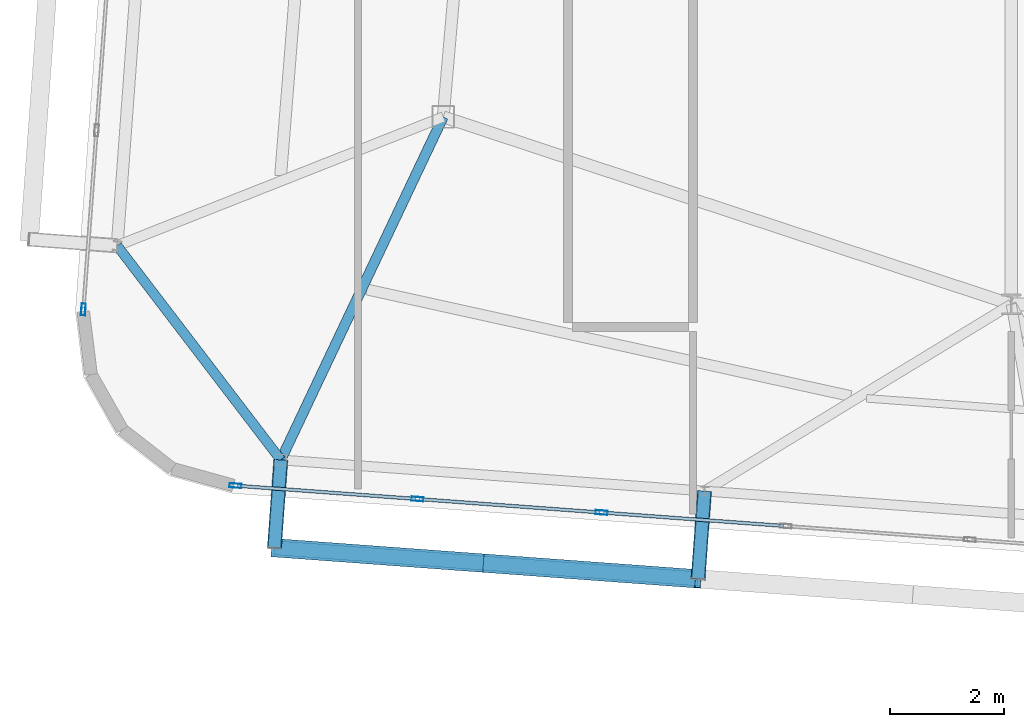
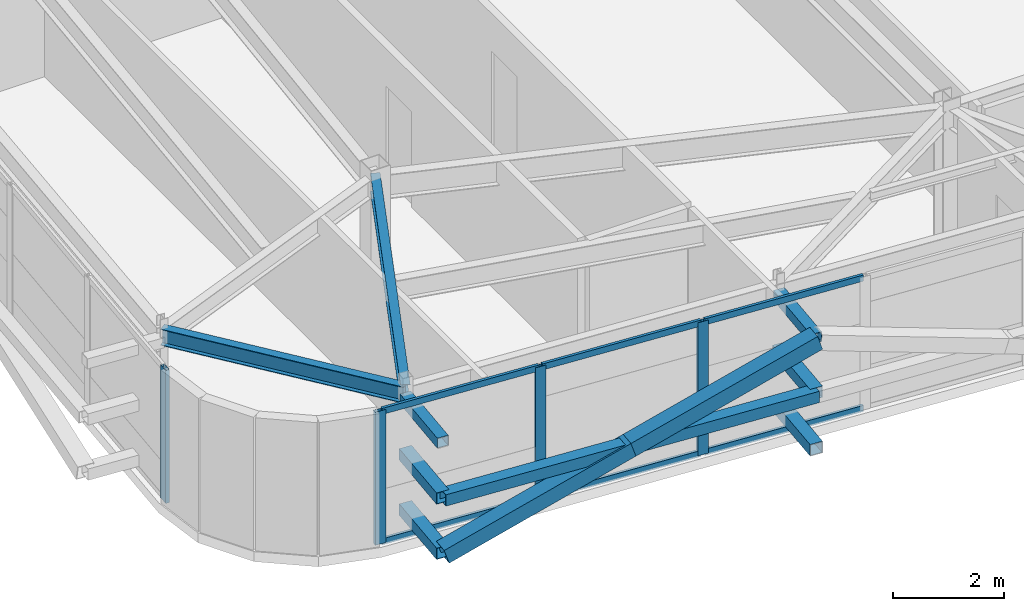
# One storey, part 9 of 42: 19 members, 2 beams, 2 elements without a shape of their own.
"""IFC4 building model written with IfcOpenShell, lengths in metres."""

from ifc_helpers import new_model, si_unit, direction, frame, origin, origin_2d, place, context, subcontext, project, spatial, hollow_rectangle, i_section, extrude, source, transform, mapped, material, layer, layer_set, material_profile, profile_set, type_object, element, aggregate, save


model = new_model("IFC4")

# Units and contexts
model_context = context("Model", 3, precision=1e-05, world=origin(), true_north=direction((0.0, 1.0)))
body_context = subcontext(model_context, "Body", "Model", "MODEL_VIEW")
ifc_project = project(units=[si_unit("LENGTHUNIT", "METRE"), si_unit("AREAUNIT", "SQUARE_METRE"), si_unit("VOLUMEUNIT", "CUBIC_METRE"), si_unit("PLANEANGLEUNIT", "RADIAN"), si_unit("MASSUNIT", "GRAM", prefix="KILO")], contexts=[model_context])

# Site, building, storey
site_placement = place(None, origin())
site = spatial("IfcSite", under=ifc_project, at=site_placement, CompositionType="ELEMENT")
building_placement = place(site_placement, origin())
building = spatial("IfcBuilding", under=site, at=building_placement, Name="Taldren Reach Tower", CompositionType="ELEMENT")
storey_placement = place(building_placement, frame((0.0, 0.0, 217.699951171875)))
storey = spatial("IfcBuildingStorey", under=building, at=storey_placement, Name="L66", CompositionType="ELEMENT", Elevation=217.699951171875)

# Members
ifc_material_1 = material(Name="Steel Gr 350 (C350L0)", Category="steel")
ifc_material_profile_1 = material_profile(ifc_material_1, hollow_rectangle(XDim=0.25, YDim=0.25, WallThickness=0.010009765625, at=origin_2d()), Name="250x250x10.0SHS")
ifc_profile_set_1 = profile_set([ifc_material_profile_1], Name="Steel Gr 350 (C350L0)")
member_type_1 = type_object("IfcMemberType", Name="MB-POST250", PredefinedType="POST", material=ifc_profile_set_1)
shared_shape_1 = source(origin(), body_context, "Body", "SweptSolid", [
    extrude(hollow_rectangle(XDim=0.25, YDim=0.25, WallThickness=0.010009765625, at=origin_2d()), origin(), (0.0, 0.0, 1.0), 1.5498046875),
])
for number, where, z_axis, x_axis, name in (
    (1, (22.6005859375, 5.912353515625, 0.219970703125), (-0.073250797913, -0.997313551801, 0.0), (0.997313551801, -0.073250797913, 0.0), "Exoskeleton base diaphragm tie strut B5-S2 L66"),
    (2, (22.6005859375, 5.912353515625, 1.43505859375), (-0.073250797913, -0.997313551801, 0.0), (0.997313551801, -0.073250797913, 0.0), "Exoskeleton mid-tier diaphragm tie B5-S2 L66"),
):
    element("IfcMember", number, at=place(storey_placement, frame(where, z_axis=z_axis, x_axis=x_axis)), inside=storey, type_object=member_type_1, Name=name, PredefinedType="POST", context=body_context, shape_type="MappedRepresentation", body=[
        mapped(shared_shape_1, transform((0.0, 0.0, 0.0), scale=1.0)),
    ])
shared_shape_2 = source(origin(), body_context, "Body", "SweptSolid", [
    extrude(hollow_rectangle(XDim=0.25, YDim=0.25, WallThickness=0.010009765625, at=origin_2d()), origin(), (0.0, 0.0, 1.0), 1.550048828125),
])
for number, where, z_axis, x_axis, name in (
    (3, (15.140625, 6.460205078125, 0.219970703125), (-0.07323929162, -0.997314396849, 0.0), (0.997314396849, -0.07323929162, 0.0), "Exoskeleton base diaphragm tie strut B5-S1 L66"),
    (4, (15.140625, 6.460205078125, 1.43505859375), (-0.07323929162, -0.997314396849, 0.0), (0.997314396849, -0.07323929162, 0.0), "Exoskeleton mid-tier diaphragm tie B5-S1 L66"),
):
    element("IfcMember", number, at=place(storey_placement, frame(where, z_axis=z_axis, x_axis=x_axis)), inside=storey, type_object=member_type_1, Name=name, PredefinedType="POST", context=body_context, shape_type="MappedRepresentation", body=[
        mapped(shared_shape_2, transform((0.0, 0.0, 0.0), scale=1.0)),
    ])
ifc_material_2 = material(Name="Steel Gr 450 (C450L0)", Category="steel")
ifc_material_profile_2 = material_profile(ifc_material_2, hollow_rectangle(XDim=0.219970703125, YDim=0.219970703125, WallThickness=0.00830078125, at=origin_2d()), Name="220x220x8.2SHS")
ifc_profile_set_2 = profile_set([ifc_material_profile_2], Name="Steel Gr 450 (C450L0)")
member_type_2 = type_object("IfcMemberType", Name="MB-TIE219", PredefinedType="STRUT", material=ifc_profile_set_2)
shared_shape_3 = source(origin(), body_context, "Body", "SweptSolid", [
    extrude(hollow_rectangle(XDim=0.219970703125, YDim=0.219970703125, WallThickness=0.00830078125, at=origin_2d()), origin(), (0.0, 0.0, 1.0), 1.5498046875),
])
member_1_placement = place(storey_placement, frame((22.6005859375, 5.912353515625, 2.650146484375), z_axis=(-0.073250797913, -0.997313551801, 0.0), x_axis=(0.997313551801, -0.073250797913, 0.0)))
element("IfcMember", 5, at=member_1_placement, inside=storey, type_object=member_type_2, Name="Exoskeleton diaphragm tie strut B5-S2 L66", PredefinedType="STRUT", context=body_context, shape_type="MappedRepresentation", body=[
    mapped(shared_shape_3, transform((0.0, 0.0, 0.0), scale=1.0)),
])
shared_shape_4 = source(origin(), body_context, "Body", "SweptSolid", [
    extrude(hollow_rectangle(XDim=0.219970703125, YDim=0.219970703125, WallThickness=0.00830078125, at=origin_2d()), origin(), (0.0, 0.0, 1.0), 1.550048828125),
])
member_2_placement = place(storey_placement, frame((15.140625, 6.460205078125, 2.650146484375), z_axis=(-0.07323929162, -0.997314396849, 0.0), x_axis=(0.997314396849, -0.07323929162, 0.0)))
element("IfcMember", 6, at=member_2_placement, inside=storey, type_object=member_type_2, Name="Exoskeleton diaphragm tie strut B5-S1 L66", PredefinedType="STRUT", context=body_context, shape_type="MappedRepresentation", body=[
    mapped(shared_shape_4, transform((0.0, 0.0, 0.0), scale=1.0)),
])

# Beams
ifc_material_3 = material(Name="Steel Gr 350 (350PLUS)", Category="steel")
ifc_material_profile_3 = material_profile(ifc_material_3, i_section(OverallWidth=0.172119140625, OverallDepth=0.35888671875, WebThickness=0.008056640625, FlangeThickness=0.012939453125, at=origin_2d()), Name="360UB56.7")
ifc_profile_set_3 = profile_set([ifc_material_profile_3], Name="Steel Gr 350 (350PLUS)")
beam_type_1 = type_object("IfcBeamType", Name="SP-UB360", PredefinedType="SPANDREL", material=ifc_profile_set_3)
shared_shape_5 = source(origin(), body_context, "Body", "SweptSolid", [
    extrude(i_section(OverallWidth=0.172119140625, OverallDepth=0.35888671875, WebThickness=0.008056640625, FlangeThickness=0.012939453125, at=origin_2d()), origin(), (0.0, 0.0, 1.0), 4.74609375),
])
beam_1_placement = place(storey_placement, frame((12.259033203125, 10.2314453125, 2.75048828125), z_axis=(0.607144568334, -0.794591387533, 0.0), x_axis=(0.794591387533, 0.607144568334, 0.0)))
element("IfcBeam", 7, at=beam_1_placement, inside=storey, type_object=beam_type_1, Name="Perimeter spandrel B5 W1-S1 L66", PredefinedType="SPANDREL", context=body_context, shape_type="MappedRepresentation", body=[
    mapped(shared_shape_5, transform((0.0, 0.0, 0.0), scale=1.0)),
])
ifc_material_profile_4 = material_profile(ifc_material_3, i_section(OverallWidth=0.177978515625, OverallDepth=0.406005859375, WebThickness=0.0078125, FlangeThickness=0.0126953125, at=origin_2d()), Name="410UB59.7")
ifc_profile_set_4 = profile_set([ifc_material_profile_4], Name="Steel Gr 350 (350PLUS)")
beam_type_2 = type_object("IfcBeamType", Name="BM-UB410", PredefinedType="BEAM", material=ifc_profile_set_4)
shared_shape_6 = source(origin(), body_context, "Body", "SweptSolid", [
    extrude(i_section(OverallWidth=0.177978515625, OverallDepth=0.406005859375, WebThickness=0.0078125, FlangeThickness=0.0126953125, at=origin_2d()), origin(), (0.0, 0.0, 1.0), 6.682373046875),
])
beam_2_placement = place(storey_placement, frame((18.0, 12.5, 2.72705078125), z_axis=(-0.427893164494, -0.903829320049, 0.0), x_axis=(0.903829320049, -0.427893164494, 0.0)))
element("IfcBeam", 8, at=beam_2_placement, inside=storey, type_object=beam_type_2, Name="Primary floor girder B5-S1 L66", PredefinedType="BEAM", context=body_context, shape_type="MappedRepresentation", body=[
    mapped(shared_shape_6, transform((0.0, 0.0, 0.0), scale=1.0)),
])

# Members
ifc_material_profile_5 = material_profile(ifc_material_2, hollow_rectangle(XDim=0.324951171875, YDim=0.324951171875, WallThickness=0.0126953125, at=origin_2d()), Name="325x325x12.7SHS")
ifc_profile_set_5 = profile_set([ifc_material_profile_5], Name="Steel Gr 450 (C450L0)")
member_type_3 = type_object("IfcMemberType", Name="MB-BR324", PredefinedType="BRACE", material=ifc_profile_set_5)
shared_shape_7 = source(origin(), body_context, "Body", "SweptSolid", [
    extrude(hollow_rectangle(XDim=0.324951171875, YDim=0.324951171875, WallThickness=0.0126953125, at=origin_2d()), origin(), (0.0, 0.0, 1.0), 3.932373046875),
])
for number, where, z_axis, x_axis, name in (
    (9, (15.027099609375, 4.914306640625, 0.219970703125), (0.948511132845, -0.069657644394, 0.308989390507), (0.07324169103, 0.997314220642, 0.0), "Exoskeleton Diagrid Brace B5-S1 L66"),
    (10, (18.757080078125, 4.640380859375, 1.43505859375), (0.948515232963, -0.069595861772, 0.308990726172), (0.073176762938, 0.997318986767, 0.0), "Exoskeleton Diagrid Brace B5-S1 L66"),
):
    element("IfcMember", number, at=place(storey_placement, frame(where, z_axis=z_axis, x_axis=x_axis)), inside=storey, type_object=member_type_3, Name=name, PredefinedType="BRACE", context=body_context, shape_type="MappedRepresentation", body=[
        mapped(shared_shape_7, transform((0.0, 0.0, 0.0), scale=1.0)),
    ])
shared_shape_8 = source(origin(), body_context, "Body", "SweptSolid", [
    extrude(hollow_rectangle(XDim=0.25, YDim=0.25, WallThickness=0.010009765625, at=origin_2d()), origin(), (0.0, 0.0, 1.0), 7.47998046875),
])
member_3_placement = place(storey_placement, frame((15.027099609375, 4.914306640625, 1.43505859375), z_axis=(0.997316604227, -0.0732092271, 0.0), x_axis=(0.0732092271, 0.997316604227, 0.0)))
element("IfcMember", 11, at=member_3_placement, inside=storey, type_object=member_type_1, Name="Exoskeleton mid-height ring chord B5-S1 L66", PredefinedType="POST", context=body_context, shape_type="MappedRepresentation", body=[
    mapped(shared_shape_8, transform((0.0, 0.0, 0.0), scale=1.0)),
])

# Curtain wall, members
ifc_material_4 = material(Name="Aluminium and Low-E Glass Unitised System", Category="aluminium")
ifc_layer = layer(ifc_material_4, 0.159912109375)
ifc_layer_set = layer_set([ifc_layer], Name="Aluminium and Low-E Glass Unitised System")
curtain_wall_type = type_object("IfcCurtainWallType", Name="CW-SYS-6", PredefinedType="NOTDEFINED", material=ifc_layer_set)
curtain_wall_1_placement = place(storey_placement, origin())
curtain_wall_1 = element("IfcCurtainWall", 12, at=curtain_wall_1_placement, inside=storey, type_object=curtain_wall_type, Name="Unitised curtain wall CW-L66-S", PredefinedType="NOTDEFINED")
ifc_material_5 = material(Name="Anodised Aluminium 6063-T6", Category="aluminium")
ifc_material_profile_6 = material_profile(ifc_material_5, hollow_rectangle(XDim=0.074951171875, YDim=0.2099609375, WallThickness=0.00439453125, at=origin_2d()), Name="ALU-210x75x4.5RHS")
ifc_profile_set_6 = profile_set([ifc_material_profile_6], Name="Anodised Aluminium 6063-T6")
member_type_4 = type_object("IfcMemberType", Name="CW-MUL-200", PredefinedType="MULLION", material=ifc_profile_set_6)
shared_shape_9 = source(origin(), body_context, "Body", "SweptSolid", [
    extrude(hollow_rectangle(XDim=0.074951171875, YDim=0.2099609375, WallThickness=0.00439453125, at=origin_2d()), origin(), (0.0, 0.0, 1.0), 2.929931640625),
])
member_4_placement = place(storey_placement, frame((14.3427734375, 6.007568359375, 0.0), z_axis=(0.0, 0.0, 1.0), x_axis=(0.073238213716, 0.997314476006, 0.0)))
member_4 = element("IfcMember", 13, at=member_4_placement, type_object=member_type_4, Name="CW-6 mullion 1", PredefinedType="MULLION", context=body_context, shape_type="MappedRepresentation", body=[
    mapped(shared_shape_9, transform((0.0, 0.0, 0.0), scale=1.0)),
])
member_5_placement = place(storey_placement, frame((17.546630859375, 5.772216796875, 0.0), z_axis=(0.0, 0.0, 1.0), x_axis=(0.073238213716, 0.997314476006, 0.0)))
member_5 = element("IfcMember", 14, at=member_5_placement, type_object=member_type_4, Name="CW-6 mullion 2", PredefinedType="MULLION", context=body_context, shape_type="MappedRepresentation", body=[
    mapped(shared_shape_9, transform((0.0, 0.0, 0.0), scale=1.0)),
])
member_6_placement = place(storey_placement, frame((20.7880859375, 5.5341796875, 0.0), z_axis=(0.0, 0.0, 1.0), x_axis=(0.073238213716, 0.997314476006, 0.0)))
member_6 = element("IfcMember", 15, at=member_6_placement, type_object=member_type_4, Name="CW-6 mullion 3", PredefinedType="MULLION", context=body_context, shape_type="MappedRepresentation", body=[
    mapped(shared_shape_9, transform((0.0, 0.0, 0.0), scale=1.0)),
])

# Curtain wall, member
curtain_wall_2_placement = place(storey_placement, origin())
curtain_wall_2 = element("IfcCurtainWall", 16, at=curtain_wall_2_placement, inside=storey, type_object=curtain_wall_type, Name="Unitised curtain wall CW-L66-W", PredefinedType="NOTDEFINED")
member_7_placement = place(storey_placement, frame((11.665283203125, 9.109375, 0.0), z_axis=(0.0, 0.0, 1.0), x_axis=(0.997314470951, -0.073238282558, 0.0)))
member_7 = element("IfcMember", 17, at=member_7_placement, type_object=member_type_4, Name="CW-6 mullion 9", PredefinedType="MULLION", context=body_context, shape_type="MappedRepresentation", body=[
    mapped(shared_shape_9, transform((0.0, 0.0, 0.0), scale=1.0)),
])
aggregate(curtain_wall_2, [member_7])

# Member
ifc_material_profile_7 = material_profile(ifc_material_5, hollow_rectangle(XDim=0.06005859375, YDim=0.135009765625, WallThickness=0.00341796875, at=origin_2d()), Name="ALU-135x60x3.5RHS")
ifc_profile_set_7 = profile_set([ifc_material_profile_7], Name="Anodised Aluminium 6063-T6")
member_type_5 = type_object("IfcMemberType", Name="CW-TRN-150", PredefinedType="USERDEFINED", material=ifc_profile_set_7)
shared_shape_10 = source(origin(), body_context, "Body", "SweptSolid", [
    extrude(hollow_rectangle(XDim=0.06005859375, YDim=0.135009765625, WallThickness=0.00341796875, at=origin_2d()), origin(), (0.0, 0.0, 1.0), 3.13720703125),
])
member_8_placement = place(storey_placement, frame((14.38037109375, 6.004638671875, 0.030029296875), z_axis=(0.997315319572, -0.073226725633, 0.0), x_axis=(0.073226725633, 0.997315319572, 0.0)))
member_8 = element("IfcMember", 18, at=member_8_placement, type_object=member_type_5, Name="CW-6 transom 1.1", ObjectType="TRANSOM", PredefinedType="USERDEFINED", context=body_context, shape_type="MappedRepresentation", body=[
    mapped(shared_shape_10, transform((0.0, 0.0, 0.0), scale=1.0)),
])

member_9_placement = place(storey_placement, frame((14.38037109375, 6.004638671875, 2.900146484375), z_axis=(0.997315319572, -0.073226725633, 0.0), x_axis=(0.073226725633, 0.997315319572, 0.0)))
member_9 = element("IfcMember", 19, at=member_9_placement, type_object=member_type_5, Name="CW-6 transom 1.2", ObjectType="TRANSOM", PredefinedType="USERDEFINED", context=body_context, shape_type="MappedRepresentation", body=[
    mapped(shared_shape_10, transform((0.0, 0.0, 0.0), scale=1.0)),
])

shared_shape_11 = source(origin(), body_context, "Body", "SweptSolid", [
    extrude(hollow_rectangle(XDim=0.06005859375, YDim=0.135009765625, WallThickness=0.00341796875, at=origin_2d()), origin(), (0.0, 0.0, 1.0), 3.1748046875),
])
member_10_placement = place(storey_placement, frame((17.584228515625, 5.76953125, 0.030029296875), z_axis=(0.997311015151, -0.07328532635, 0.0), x_axis=(0.07328532635, 0.997311015151, 0.0)))
member_10 = element("IfcMember", 20, at=member_10_placement, type_object=member_type_5, Name="CW-6 transom 2.1", ObjectType="TRANSOM", PredefinedType="USERDEFINED", context=body_context, shape_type="MappedRepresentation", body=[
    mapped(shared_shape_11, transform((0.0, 0.0, 0.0), scale=1.0)),
])

member_11_placement = place(storey_placement, frame((17.584228515625, 5.76953125, 2.900146484375), z_axis=(0.997311015151, -0.07328532635, 0.0), x_axis=(0.07328532635, 0.997311015151, 0.0)))
member_11 = element("IfcMember", 21, at=member_11_placement, type_object=member_type_5, Name="CW-6 transom 2.2", ObjectType="TRANSOM", PredefinedType="USERDEFINED", context=body_context, shape_type="MappedRepresentation", body=[
    mapped(shared_shape_11, transform((0.0, 0.0, 0.0), scale=1.0)),
])

shared_shape_12 = source(origin(), body_context, "Body", "SweptSolid", [
    extrude(hollow_rectangle(XDim=0.06005859375, YDim=0.135009765625, WallThickness=0.00341796875, at=origin_2d()), origin(), (0.0, 0.0, 1.0), 3.175048828125),
])
member_12_placement = place(storey_placement, frame((20.825439453125, 5.531494140625, 0.030029296875), z_axis=(0.997311428111, -0.073279706322, 0.0), x_axis=(0.073279706322, 0.997311428111, 0.0)))
member_12 = element("IfcMember", 22, at=member_12_placement, type_object=member_type_5, Name="CW-6 transom 3.1", ObjectType="TRANSOM", PredefinedType="USERDEFINED", context=body_context, shape_type="MappedRepresentation", body=[
    mapped(shared_shape_12, transform((0.0, 0.0, 0.0), scale=1.0)),
])

member_13_placement = place(storey_placement, frame((20.825439453125, 5.531494140625, 2.900146484375), z_axis=(0.997311428111, -0.073279706322, 0.0), x_axis=(0.073279706322, 0.997311428111, 0.0)))
member_13 = element("IfcMember", 23, at=member_13_placement, type_object=member_type_5, Name="CW-6 transom 3.2", ObjectType="TRANSOM", PredefinedType="USERDEFINED", context=body_context, shape_type="MappedRepresentation", body=[
    mapped(shared_shape_12, transform((0.0, 0.0, 0.0), scale=1.0)),
])

aggregate(curtain_wall_1, [member_4, member_5, member_6, member_8, member_9, member_10, member_11, member_12, member_13])

save(model, "model.ifc")
